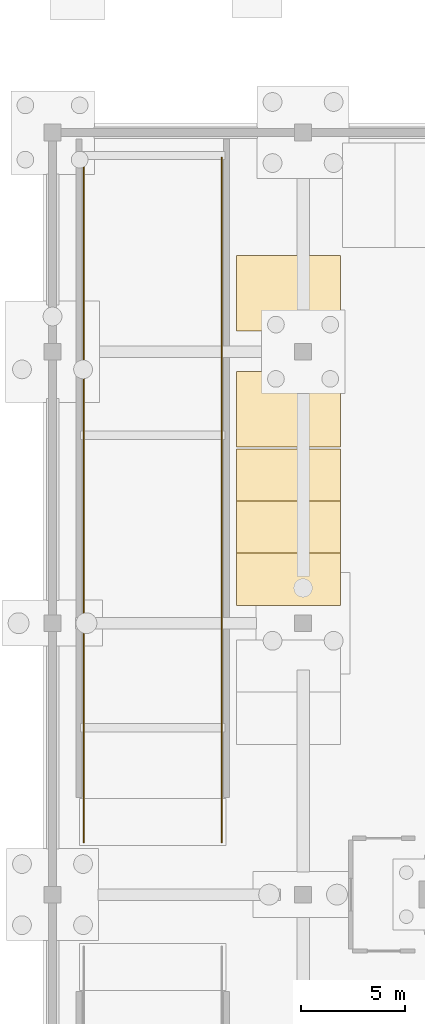
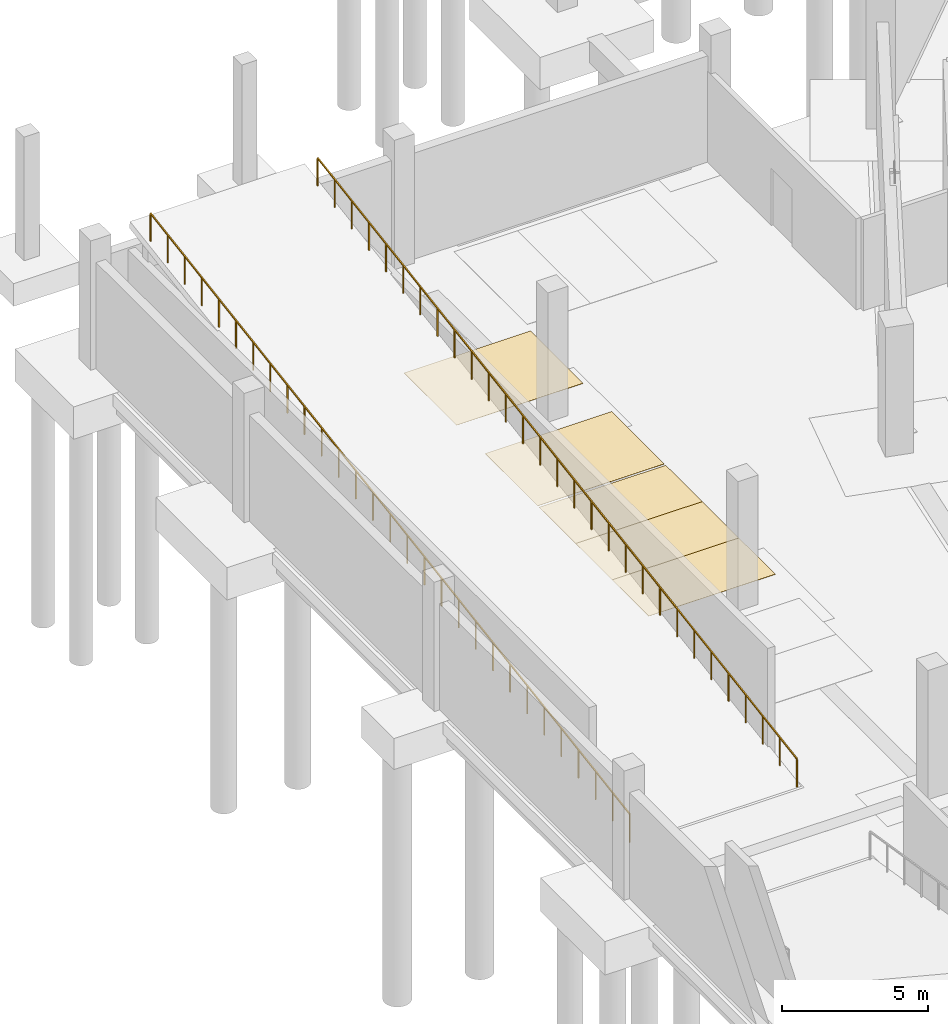
# One storey, part 59 of 74: 5 coverings, 2 railings.
"""IFC4 building model written with IfcOpenShell, lengths in metres."""

from ifc_helpers import new_model, si_unit, direction, frame, origin, origin_2d, place, context, subcontext, project, spatial, polyline, rectangle, outline, extrude, material, layer, layer_set, type_object, element, save


model = new_model("IFC4")

# Units and contexts
model_context = context("Model", 3, precision=1e-05, world=origin(), true_north=direction((0.0, 1.0)))
body_context = subcontext(model_context, "Body", "Model", "MODEL_VIEW")
ifc_project = project(units=[si_unit("LENGTHUNIT", "METRE"), si_unit("AREAUNIT", "SQUARE_METRE"), si_unit("VOLUMEUNIT", "CUBIC_METRE"), si_unit("PLANEANGLEUNIT", "RADIAN"), si_unit("MASSUNIT", "GRAM", prefix="KILO")], contexts=[model_context])

# Site, building, storey
site_placement = place(None, origin())
site = spatial("IfcSite", under=ifc_project, at=site_placement, CompositionType="ELEMENT")
building_placement = place(site_placement, origin())
building = spatial("IfcBuilding", under=site, at=building_placement, Name="Zlatoyarsky Gate Stadium", CompositionType="ELEMENT")
storey_placement = place(building_placement, frame((0.0, 0.0, -5.39990234375)))
storey = spatial("IfcBuildingStorey", under=building, at=storey_placement, Name="B1", CompositionType="ELEMENT", Elevation=-5.39990234375)

# Railings
ifc_material_1 = material(Name="Powder-coated steel tubular guardrail", Category="steel")
railing_type = type_object("IfcRailingType", Name="CONCOURSE SLAB EDGE GUARDRAIL 1200", PredefinedType="GUARDRAIL", material=ifc_material_1)
railing_1_placement = place(storey_placement, frame((1.5, 82.5, 0.0)))
element("IfcRailing", 1, at=railing_1_placement, inside=storey, type_object=railing_type, Name="VR-02 sloped ramp slab guardrail W", PredefinedType="GUARDRAIL", context=body_context, shape_type="SweptSolid", body=[
    extrude(rectangle(XDim=0.048095703125, YDim=0.048095703125, at=origin_2d()), frame((0.0, 0.0, 1.17578125), z_axis=(0.0, 0.987622137751, 0.156851882435), x_axis=(-1.0, 0.0, 0.0)), (0.0, 0.0, 1.0), 33.211181640625),
    extrude(rectangle(XDim=0.0419921875, YDim=0.0419921875, at=origin_2d()), origin(), (0.0, 0.0, 1.0), 1.15185546875),
    extrude(rectangle(XDim=0.0419921875, YDim=0.0419921875, at=origin_2d()), frame((0.0, 1.17138671875, 0.18603515625)), (0.0, 0.0, 1.0), 1.15185546875),
    extrude(rectangle(XDim=0.0419921875, YDim=0.0419921875, at=origin_2d()), frame((0.0, 2.3427734375, 0.3720703125)), (0.0, 0.0, 1.0), 1.15185546875),
    extrude(rectangle(XDim=0.0419921875, YDim=0.0419921875, at=origin_2d()), frame((0.0, 3.514404296875, 0.55810546875)), (0.0, 0.0, 1.0), 1.15185546875),
    extrude(rectangle(XDim=0.0419921875, YDim=0.0419921875, at=origin_2d()), frame((0.0, 4.685791015625, 0.744140625)), (0.0, 0.0, 1.0), 1.15185546875),
    extrude(rectangle(XDim=0.0419921875, YDim=0.0419921875, at=origin_2d()), frame((0.0, 5.857177734375, 0.93017578125)), (0.0, 0.0, 1.0), 1.15185546875),
    extrude(rectangle(XDim=0.0419921875, YDim=0.0419921875, at=origin_2d()), frame((0.0, 7.028564453125, 1.1162109375)), (0.0, 0.0, 1.0), 1.15185546875),
    extrude(rectangle(XDim=0.0419921875, YDim=0.0419921875, at=origin_2d()), frame((0.0, 8.199951171875, 1.30224609375)), (0.0, 0.0, 1.0), 1.15185546875),
    extrude(rectangle(XDim=0.0419921875, YDim=0.0419921875, at=origin_2d()), frame((0.0, 9.371337890625, 1.48828125)), (0.0, 0.0, 1.0), 1.15185546875),
    extrude(rectangle(XDim=0.0419921875, YDim=0.0419921875, at=origin_2d()), frame((0.0, 10.54296875, 1.67431640625)), (0.0, 0.0, 1.0), 1.15185546875),
    extrude(rectangle(XDim=0.0419921875, YDim=0.0419921875, at=origin_2d()), frame((0.0, 11.71435546875, 1.8603515625)), (0.0, 0.0, 1.0), 1.15185546875),
    extrude(rectangle(XDim=0.0419921875, YDim=0.0419921875, at=origin_2d()), frame((0.0, 12.8857421875, 2.04638671875)), (0.0, 0.0, 1.0), 1.15185546875),
    extrude(rectangle(XDim=0.0419921875, YDim=0.0419921875, at=origin_2d()), frame((0.0, 14.05712890625, 2.232421875)), (0.0, 0.0, 1.0), 1.15185546875),
    extrude(rectangle(XDim=0.0419921875, YDim=0.0419921875, at=origin_2d()), frame((0.0, 15.228515625, 2.41845703125)), (0.0, 0.0, 1.0), 1.15185546875),
    extrude(rectangle(XDim=0.0419921875, YDim=0.0419921875, at=origin_2d()), frame((0.0, 16.39990234375, 2.6044921875)), (0.0, 0.0, 1.0), 1.15185546875),
    extrude(rectangle(XDim=0.0419921875, YDim=0.0419921875, at=origin_2d()), frame((0.0, 17.571533203125, 2.790771484375)), (0.0, 0.0, 1.0), 1.15185546875),
    extrude(rectangle(XDim=0.0419921875, YDim=0.0419921875, at=origin_2d()), frame((0.0, 18.742919921875, 2.976806640625)), (0.0, 0.0, 1.0), 1.15185546875),
    extrude(rectangle(XDim=0.0419921875, YDim=0.0419921875, at=origin_2d()), frame((0.0, 19.914306640625, 3.162841796875)), (0.0, 0.0, 1.0), 1.15185546875),
    extrude(rectangle(XDim=0.0419921875, YDim=0.0419921875, at=origin_2d()), frame((0.0, 21.085693359375, 3.348876953125)), (0.0, 0.0, 1.0), 1.15185546875),
    extrude(rectangle(XDim=0.0419921875, YDim=0.0419921875, at=origin_2d()), frame((0.0, 22.257080078125, 3.534912109375)), (0.0, 0.0, 1.0), 1.15185546875),
    extrude(rectangle(XDim=0.0419921875, YDim=0.0419921875, at=origin_2d()), frame((0.0, 23.4287109375, 3.720947265625)), (0.0, 0.0, 1.0), 1.15185546875),
    extrude(rectangle(XDim=0.0419921875, YDim=0.0419921875, at=origin_2d()), frame((0.0, 24.60009765625, 3.906982421875)), (0.0, 0.0, 1.0), 1.15185546875),
    extrude(rectangle(XDim=0.0419921875, YDim=0.0419921875, at=origin_2d()), frame((0.0, 25.771484375, 4.093017578125)), (0.0, 0.0, 1.0), 1.15185546875),
    extrude(rectangle(XDim=0.0419921875, YDim=0.0419921875, at=origin_2d()), frame((0.0, 26.94287109375, 4.279052734375)), (0.0, 0.0, 1.0), 1.15185546875),
    extrude(rectangle(XDim=0.0419921875, YDim=0.0419921875, at=origin_2d()), frame((0.0, 28.1142578125, 4.465087890625)), (0.0, 0.0, 1.0), 1.15185546875),
    extrude(rectangle(XDim=0.0419921875, YDim=0.0419921875, at=origin_2d()), frame((0.0, 29.28564453125, 4.651123046875)), (0.0, 0.0, 1.0), 1.15185546875),
    extrude(rectangle(XDim=0.0419921875, YDim=0.0419921875, at=origin_2d()), frame((0.0, 30.457275390625, 4.837158203125)), (0.0, 0.0, 1.0), 1.15185546875),
    extrude(rectangle(XDim=0.0419921875, YDim=0.0419921875, at=origin_2d()), frame((0.0, 31.628662109375, 5.023193359375)), (0.0, 0.0, 1.0), 1.15185546875),
    extrude(rectangle(XDim=0.0419921875, YDim=0.0419921875, at=origin_2d()), frame((0.0, 32.800048828125, 5.209228515625)), (0.0, 0.0, 1.0), 1.15185546875),
])
railing_2_placement = place(storey_placement, frame((8.10009765625, 82.5, 0.0)))
element("IfcRailing", 2, at=railing_2_placement, inside=storey, type_object=railing_type, Name="VR-02 sloped ramp slab guardrail E", PredefinedType="GUARDRAIL", context=body_context, shape_type="SweptSolid", body=[
    extrude(rectangle(XDim=0.048095703125, YDim=0.048095703125, at=origin_2d()), frame((0.0, 0.0, 1.17578125), z_axis=(0.0, 0.987622137751, 0.156851882435), x_axis=(-1.0, 0.0, 0.0)), (0.0, 0.0, 1.0), 33.211181640625),
    extrude(rectangle(XDim=0.0419921875, YDim=0.0419921875, at=origin_2d()), origin(), (0.0, 0.0, 1.0), 1.15185546875),
    extrude(rectangle(XDim=0.0419921875, YDim=0.0419921875, at=origin_2d()), frame((0.0, 1.17138671875, 0.18603515625)), (0.0, 0.0, 1.0), 1.15185546875),
    extrude(rectangle(XDim=0.0419921875, YDim=0.0419921875, at=origin_2d()), frame((0.0, 2.3427734375, 0.3720703125)), (0.0, 0.0, 1.0), 1.15185546875),
    extrude(rectangle(XDim=0.0419921875, YDim=0.0419921875, at=origin_2d()), frame((0.0, 3.514404296875, 0.55810546875)), (0.0, 0.0, 1.0), 1.15185546875),
    extrude(rectangle(XDim=0.0419921875, YDim=0.0419921875, at=origin_2d()), frame((0.0, 4.685791015625, 0.744140625)), (0.0, 0.0, 1.0), 1.15185546875),
    extrude(rectangle(XDim=0.0419921875, YDim=0.0419921875, at=origin_2d()), frame((0.0, 5.857177734375, 0.93017578125)), (0.0, 0.0, 1.0), 1.15185546875),
    extrude(rectangle(XDim=0.0419921875, YDim=0.0419921875, at=origin_2d()), frame((0.0, 7.028564453125, 1.1162109375)), (0.0, 0.0, 1.0), 1.15185546875),
    extrude(rectangle(XDim=0.0419921875, YDim=0.0419921875, at=origin_2d()), frame((0.0, 8.199951171875, 1.30224609375)), (0.0, 0.0, 1.0), 1.15185546875),
    extrude(rectangle(XDim=0.0419921875, YDim=0.0419921875, at=origin_2d()), frame((0.0, 9.371337890625, 1.48828125)), (0.0, 0.0, 1.0), 1.15185546875),
    extrude(rectangle(XDim=0.0419921875, YDim=0.0419921875, at=origin_2d()), frame((0.0, 10.54296875, 1.67431640625)), (0.0, 0.0, 1.0), 1.15185546875),
    extrude(rectangle(XDim=0.0419921875, YDim=0.0419921875, at=origin_2d()), frame((0.0, 11.71435546875, 1.8603515625)), (0.0, 0.0, 1.0), 1.15185546875),
    extrude(rectangle(XDim=0.0419921875, YDim=0.0419921875, at=origin_2d()), frame((0.0, 12.8857421875, 2.04638671875)), (0.0, 0.0, 1.0), 1.15185546875),
    extrude(rectangle(XDim=0.0419921875, YDim=0.0419921875, at=origin_2d()), frame((0.0, 14.05712890625, 2.232421875)), (0.0, 0.0, 1.0), 1.15185546875),
    extrude(rectangle(XDim=0.0419921875, YDim=0.0419921875, at=origin_2d()), frame((0.0, 15.228515625, 2.41845703125)), (0.0, 0.0, 1.0), 1.15185546875),
    extrude(rectangle(XDim=0.0419921875, YDim=0.0419921875, at=origin_2d()), frame((0.0, 16.39990234375, 2.6044921875)), (0.0, 0.0, 1.0), 1.15185546875),
    extrude(rectangle(XDim=0.0419921875, YDim=0.0419921875, at=origin_2d()), frame((0.0, 17.571533203125, 2.790771484375)), (0.0, 0.0, 1.0), 1.15185546875),
    extrude(rectangle(XDim=0.0419921875, YDim=0.0419921875, at=origin_2d()), frame((0.0, 18.742919921875, 2.976806640625)), (0.0, 0.0, 1.0), 1.15185546875),
    extrude(rectangle(XDim=0.0419921875, YDim=0.0419921875, at=origin_2d()), frame((0.0, 19.914306640625, 3.162841796875)), (0.0, 0.0, 1.0), 1.15185546875),
    extrude(rectangle(XDim=0.0419921875, YDim=0.0419921875, at=origin_2d()), frame((0.0, 21.085693359375, 3.348876953125)), (0.0, 0.0, 1.0), 1.15185546875),
    extrude(rectangle(XDim=0.0419921875, YDim=0.0419921875, at=origin_2d()), frame((0.0, 22.257080078125, 3.534912109375)), (0.0, 0.0, 1.0), 1.15185546875),
    extrude(rectangle(XDim=0.0419921875, YDim=0.0419921875, at=origin_2d()), frame((0.0, 23.4287109375, 3.720947265625)), (0.0, 0.0, 1.0), 1.15185546875),
    extrude(rectangle(XDim=0.0419921875, YDim=0.0419921875, at=origin_2d()), frame((0.0, 24.60009765625, 3.906982421875)), (0.0, 0.0, 1.0), 1.15185546875),
    extrude(rectangle(XDim=0.0419921875, YDim=0.0419921875, at=origin_2d()), frame((0.0, 25.771484375, 4.093017578125)), (0.0, 0.0, 1.0), 1.15185546875),
    extrude(rectangle(XDim=0.0419921875, YDim=0.0419921875, at=origin_2d()), frame((0.0, 26.94287109375, 4.279052734375)), (0.0, 0.0, 1.0), 1.15185546875),
    extrude(rectangle(XDim=0.0419921875, YDim=0.0419921875, at=origin_2d()), frame((0.0, 28.1142578125, 4.465087890625)), (0.0, 0.0, 1.0), 1.15185546875),
    extrude(rectangle(XDim=0.0419921875, YDim=0.0419921875, at=origin_2d()), frame((0.0, 29.28564453125, 4.651123046875)), (0.0, 0.0, 1.0), 1.15185546875),
    extrude(rectangle(XDim=0.0419921875, YDim=0.0419921875, at=origin_2d()), frame((0.0, 30.457275390625, 4.837158203125)), (0.0, 0.0, 1.0), 1.15185546875),
    extrude(rectangle(XDim=0.0419921875, YDim=0.0419921875, at=origin_2d()), frame((0.0, 31.628662109375, 5.023193359375)), (0.0, 0.0, 1.0), 1.15185546875),
    extrude(rectangle(XDim=0.0419921875, YDim=0.0419921875, at=origin_2d()), frame((0.0, 32.800048828125, 5.209228515625)), (0.0, 0.0, 1.0), 1.15185546875),
])

# Coverings
ifc_material_2 = material(Name="Reflective epoxy resin parking bay marking")
ifc_layer = layer(ifc_material_2, 0.010009765625)
ifc_layer_set = layer_set([ifc_layer], Name="Reflective epoxy resin parking bay marking")
covering_type = type_object("IfcCoveringType", Name="EPOXY PAINTED PARKING BAY MARKING 10", PredefinedType="USERDEFINED", material=ifc_layer_set)
covering_1_placement = place(storey_placement, origin())
element("IfcCovering", 3, at=covering_1_placement, inside=storey, type_object=covering_type, Name="VIP Parking Bay Marking PK-VIP-14", ObjectType="ROAD MARKING", PredefinedType="USERDEFINED", context=body_context, shape_type="SweptSolid", body=[
    extrude(outline(polyline([(8.800048828125, 93.85009765625), (13.800048828125, 93.85009765625), (13.800048828125, 96.35009765625), (8.800048828125, 96.35009765625), (8.800048828125, 93.85009765625)])), origin(), (0.0, 0.0, 1.0), 0.010009765625),
])
covering_2_placement = place(storey_placement, origin())
element("IfcCovering", 4, at=covering_2_placement, inside=storey, type_object=covering_type, Name="VIP Parking Bay Marking PK-VIP-15", ObjectType="ROAD MARKING", PredefinedType="USERDEFINED", context=body_context, shape_type="SweptSolid", body=[
    extrude(outline(polyline([(8.800048828125, 96.35009765625), (13.800048828125, 96.35009765625), (13.800048828125, 98.85009765625), (8.800048828125, 98.85009765625), (8.800048828125, 96.35009765625)])), origin(), (0.0, 0.0, 1.0), 0.010009765625),
])
covering_3_placement = place(storey_placement, origin())
element("IfcCovering", 5, at=covering_3_placement, inside=storey, type_object=covering_type, Name="VIP Parking Bay Marking PK-VIP-16", ObjectType="ROAD MARKING", PredefinedType="USERDEFINED", context=body_context, shape_type="SweptSolid", body=[
    extrude(outline(polyline([(8.800048828125, 98.85009765625), (13.800048828125, 98.85009765625), (13.800048828125, 101.35009765625), (8.800048828125, 101.35009765625), (8.800048828125, 98.85009765625)])), origin(), (0.0, 0.0, 1.0), 0.010009765625),
])
covering_4_placement = place(storey_placement, origin())
element("IfcCovering", 6, at=covering_4_placement, inside=storey, type_object=covering_type, Name="Accessible VIP Parking Bay Marking PK-ACC-03", ObjectType="ROAD MARKING", PredefinedType="USERDEFINED", context=body_context, shape_type="SweptSolid", body=[
    extrude(outline(polyline([(8.800048828125, 101.449951171875), (13.800048828125, 101.449951171875), (13.800048828125, 105.050048828125), (8.800048828125, 105.050048828125), (8.800048828125, 101.449951171875)])), origin(), (0.0, 0.0, 1.0), 0.010009765625),
])
covering_5_placement = place(storey_placement, origin())
element("IfcCovering", 7, at=covering_5_placement, inside=storey, type_object=covering_type, Name="Accessible VIP Parking Bay Marking PK-ACC-04", ObjectType="ROAD MARKING", PredefinedType="USERDEFINED", context=body_context, shape_type="SweptSolid", body=[
    extrude(outline(polyline([(8.800048828125, 107.0), (13.800048828125, 107.0), (13.800048828125, 110.60009765625), (8.800048828125, 110.60009765625), (8.800048828125, 107.0)])), origin(), (0.0, 0.0, 1.0), 0.010009765625),
])

save(model, "model.ifc")
